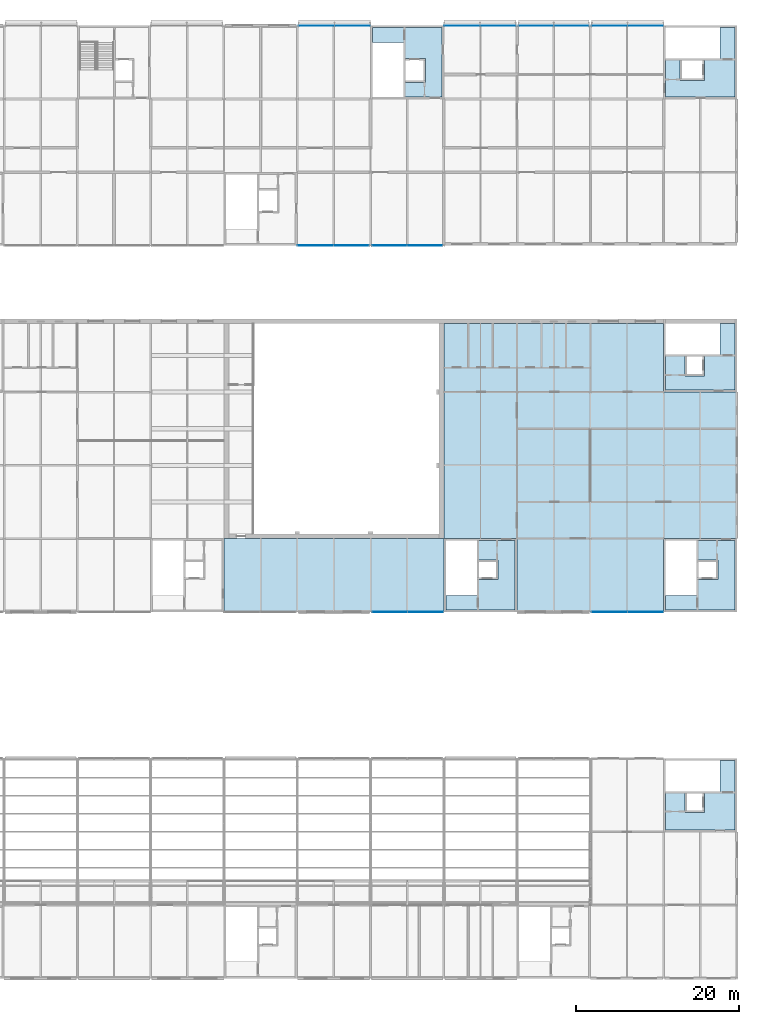
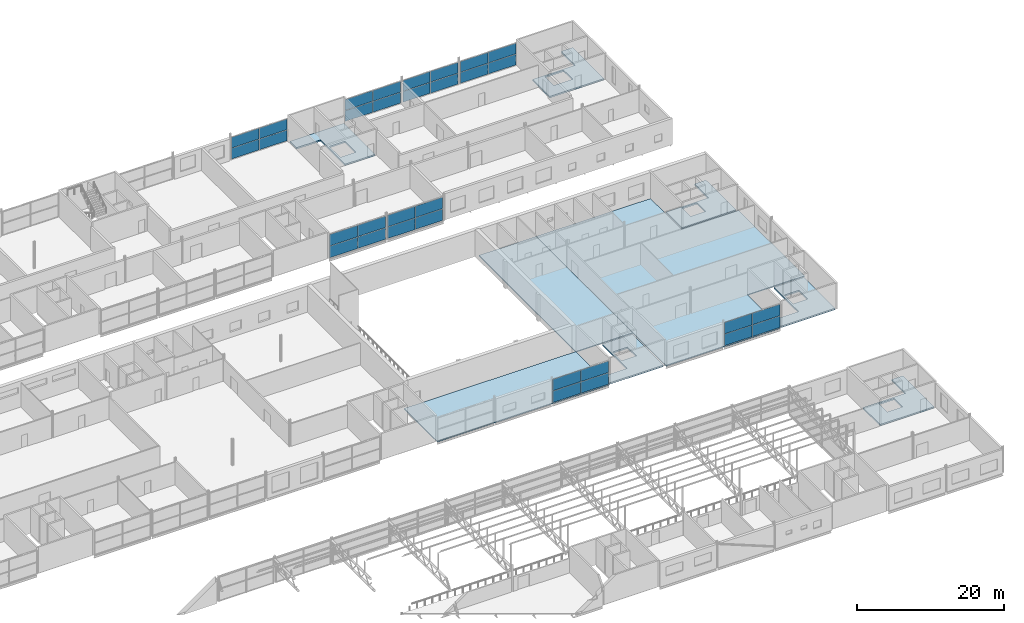
# One storey, part 102 of 138: 32 plates, 9 slabs, 8 elements without a shape of their own.
"""IFC4 building model written with IfcOpenShell, lengths in metres."""

from ifc_helpers import new_model, si_unit, direction, frame, origin, origin_2d, place, context, subcontext, project, spatial, polyline, rectangle, outline, extrude, material, layer, layer_set, type_object, element, aggregate, save


model = new_model("IFC4")

# Units and contexts
model_context = context("Model", 3, precision=1e-05, world=origin(), true_north=direction((0.0, 1.0)))
body_context = subcontext(model_context, "Body", "Model", "MODEL_VIEW")
ifc_project = project(units=[si_unit("LENGTHUNIT", "METRE"), si_unit("AREAUNIT", "SQUARE_METRE"), si_unit("VOLUMEUNIT", "CUBIC_METRE"), si_unit("PLANEANGLEUNIT", "RADIAN"), si_unit("MASSUNIT", "GRAM", prefix="KILO")], contexts=[model_context])

# Site, building, storey
site_placement = place(None, origin())
site = spatial("IfcSite", under=ifc_project, at=site_placement, CompositionType="ELEMENT")
building_placement = place(site_placement, origin())
building = spatial("IfcBuilding", under=site, at=building_placement, Name="Corbel Yard City Hall", CompositionType="ELEMENT")
storey_placement = place(building_placement, frame((0.0, 0.0, 10.5)))
storey = spatial("IfcBuildingStorey", under=building, at=storey_placement, Name="L02", CompositionType="ELEMENT", Elevation=10.5)

# Slabs
ifc_material_1 = material(Name="Concrete N40 (40 MPa)", Category="concrete")
ifc_layer_1 = layer(ifc_material_1, 0.25)
ifc_layer_set_1 = layer_set([ifc_layer_1], Name="Concrete N40 (40 MPa)")
slab_type_1 = type_object("IfcSlabType", Name="CF1", PredefinedType="FLOOR", material=ifc_layer_set_1)
slab_1_placement = place(storey_placement, frame((0.0, 0.0, -0.25)))
element("IfcSlab", 1, at=slab_1_placement, inside=storey, type_object=slab_type_1, Name="Core floor slab", PredefinedType="FLOOR", context=body_context, shape_type="SweptSolid", body=[
    extrude(outline(polyline([(179.75, 26.75), (177.948974609375, 26.75), (177.948974609375, 22.949951171875), (171.25, 22.949951171875), (171.25, 18.25), (179.75, 18.25), (179.75, 26.75)]), holes=[polyline([(176.0, 20.35009765625), (176.0, 22.699951171875), (173.60009765625, 22.699951171875), (173.60009765625, 20.35009765625), (176.0, 20.35009765625)])]), origin(), (0.0, 0.0, 1.0), 0.25),
])
slab_2_placement = place(storey_placement, frame((0.0, 0.0, -0.25)))
element("IfcSlab", 2, at=slab_2_placement, inside=storey, type_object=slab_type_1, Name="Core floor slab", PredefinedType="FLOOR", context=body_context, shape_type="SweptSolid", body=[
    extrude(outline(polyline([(152.75, 53.75), (148.050048828125, 53.75), (148.050048828125, 47.051025390625), (144.25, 47.051025390625), (144.25, 45.25), (152.75, 45.25), (152.75, 53.75)]), holes=[polyline([(150.64990234375, 49.0), (150.64990234375, 51.39990234375), (148.300048828125, 51.39990234375), (148.300048828125, 49.0), (150.64990234375, 49.0)])]), origin(), (0.0, 0.0, 1.0), 0.25),
])
slab_3_placement = place(storey_placement, frame((0.0, 0.0, -0.25)))
element("IfcSlab", 3, at=slab_3_placement, inside=storey, type_object=slab_type_1, Name="Core floor slab", PredefinedType="FLOOR", context=body_context, shape_type="SweptSolid", body=[
    extrude(outline(polyline([(179.75, 53.75), (175.050048828125, 53.75), (175.050048828125, 47.051025390625), (171.25, 47.051025390625), (171.25, 45.25), (179.75, 45.25), (179.75, 53.75)]), holes=[polyline([(177.64990234375, 49.0), (177.64990234375, 51.39990234375), (175.300048828125, 51.39990234375), (175.300048828125, 49.0), (177.64990234375, 49.0)])]), origin(), (0.0, 0.0, 1.0), 0.25),
])
slab_4_placement = place(storey_placement, frame((0.0, 0.0, -0.25)))
element("IfcSlab", 4, at=slab_4_placement, inside=storey, type_object=slab_type_1, Name="Core floor slab", PredefinedType="FLOOR", context=body_context, shape_type="SweptSolid", body=[
    extrude(outline(polyline([(179.75, 80.39990234375), (177.948974609375, 80.39990234375), (177.948974609375, 76.60009765625), (171.25, 76.60009765625), (171.25, 72.25), (179.75, 72.25), (179.75, 80.39990234375)]), holes=[polyline([(176.0, 74.0), (176.0, 76.35009765625), (173.60009765625, 76.35009765625), (173.60009765625, 74.0), (176.0, 74.0)])]), origin(), (0.0, 0.0, 1.0), 0.25),
])
slab_5_placement = place(storey_placement, frame((0.0, 0.0, -0.25)))
element("IfcSlab", 5, at=slab_5_placement, inside=storey, type_object=slab_type_1, Name="Core floor slab", PredefinedType="FLOOR", context=body_context, shape_type="SweptSolid", body=[
    extrude(outline(polyline([(135.25, 116.75), (135.25, 114.948974609375), (139.050048828125, 114.948974609375), (139.050048828125, 108.25), (143.75, 108.25), (143.75, 116.75), (135.25, 116.75)]), holes=[polyline([(141.75, 110.0), (141.75, 113.0), (139.300048828125, 113.0), (139.300048828125, 110.0), (141.75, 110.0)])]), origin(), (0.0, 0.0, 1.0), 0.25),
])
slab_6_placement = place(storey_placement, frame((0.0, 0.0, -0.25)))
element("IfcSlab", 6, at=slab_6_placement, inside=storey, type_object=slab_type_1, Name="Core floor slab", PredefinedType="FLOOR", context=body_context, shape_type="SweptSolid", body=[
    extrude(outline(polyline([(179.75, 116.75), (177.948974609375, 116.75), (177.948974609375, 112.949951171875), (171.25, 112.949951171875), (171.25, 108.25), (179.75, 108.25), (179.75, 116.75)]), holes=[polyline([(176.0, 110.25), (176.0, 112.699951171875), (173.0, 112.699951171875), (173.0, 110.25), (176.0, 110.25)])]), origin(), (0.0, 0.0, 1.0), 0.25),
])
ifc_layer_2 = layer(ifc_material_1, 0.14990234375)
ifc_layer_set_2 = layer_set([ifc_layer_2], Name="Concrete N40 (40 MPa)")
slab_type_2 = type_object("IfcSlabType", Name="Floor slab 150", PredefinedType="FLOOR", material=ifc_layer_set_2)
slab_7_placement = place(storey_placement, frame((0.0, 0.0, -0.14990234375)))
element("IfcSlab", 7, at=slab_7_placement, inside=storey, type_object=slab_type_2, Name="Floor slab Council Chamber block", PredefinedType="FLOOR", context=body_context, shape_type="SweptSolid", body=[
    extrude(outline(polyline([(144.0, 45.0), (144.0, 54.0), (117.0, 54.0), (117.0, 45.0), (144.0, 45.0)])), origin(), (0.0, 0.0, 1.0), 0.14990234375),
])
slab_8_placement = place(storey_placement, frame((0.0, 0.0, -0.14990234375)))
element("IfcSlab", 8, at=slab_8_placement, inside=storey, type_object=slab_type_2, Name="Floor slab Council Chamber block", PredefinedType="FLOOR", context=body_context, shape_type="SweptSolid", body=[
    extrude(outline(polyline([(153.0, 80.39990234375), (144.0, 80.39990234375), (144.0, 54.0), (153.0, 54.0), (153.0, 80.39990234375)])), origin(), (0.0, 0.0, 1.0), 0.14990234375),
])
slab_9_placement = place(storey_placement, frame((0.0, 0.0, -0.14990234375)))
element("IfcSlab", 9, at=slab_9_placement, inside=storey, type_object=slab_type_2, Name="Floor slab Members' wing", PredefinedType="FLOOR", context=body_context, shape_type="SweptSolid", body=[
    extrude(outline(polyline([(180.0, 54.0), (180.0, 72.0), (171.0, 72.0), (171.0, 80.39990234375), (153.0, 80.39990234375), (153.0, 45.0), (171.0, 45.0), (171.0, 54.0), (180.0, 54.0)])), origin(), (0.0, 0.0, 1.0), 0.14990234375),
])

# Curtain wall, plates
ifc_material_2 = material(Name="Aluminium extrusion", Category="aluminium")
ifc_layer_3 = layer(ifc_material_2, 0.199951171875)
ifc_layer_set_3 = layer_set([ifc_layer_3], Name="Aluminium extrusion")
curtain_wall_type_1 = type_object("IfcCurtainWallType", Name="CW1", PredefinedType="USERDEFINED", material=ifc_layer_set_3)
curtain_wall_1_placement = place(storey_placement, origin())
curtain_wall_1 = element("IfcCurtainWall", 10, at=curtain_wall_1_placement, inside=storey, type_object=curtain_wall_type_1, Name="Curtain wall CW1 L02", ObjectType="CURTAIN WALL", PredefinedType="USERDEFINED")
ifc_material_3 = material(Name="Laminated glass", Category="glass")
ifc_layer_4 = layer(ifc_material_3, 0.035888671875)
ifc_layer_set_4 = layer_set([ifc_layer_4], Name="Laminated glass")
plate_type_1 = type_object("IfcPlateType", Name="PN1", PredefinedType="CURTAIN_PANEL", material=ifc_layer_set_4)
plate_1_placement = place(storey_placement, frame((164.361572265625, 45.0, 0.06494140625), z_axis=(0.0, 0.0, 1.0), x_axis=(1.0, 0.0, 0.0)))
plate_1 = element("IfcPlate", 11, at=plate_1_placement, type_object=plate_type_1, Name="CW1 panel 1.1", PredefinedType="CURTAIN_PANEL", context=body_context, shape_type="SweptSolid", body=[
    extrude(rectangle(XDim=4.339111328125, YDim=0.035888671875, at=origin_2d()), origin(), (0.0, 0.0, 1.0), 1.89794921875),
])
plate_2_placement = place(storey_placement, frame((164.361572265625, 45.0, 2.028076171875), z_axis=(0.0, 0.0, 1.0), x_axis=(1.0, 0.0, 0.0)))
plate_2 = element("IfcPlate", 12, at=plate_2_placement, type_object=plate_type_1, Name="CW1 panel 1.2", PredefinedType="CURTAIN_PANEL", context=body_context, shape_type="SweptSolid", body=[
    extrude(rectangle(XDim=4.339111328125, YDim=0.035888671875, at=origin_2d()), origin(), (0.0, 0.0, 1.0), 1.89794921875),
])
plate_3_placement = place(storey_placement, frame((168.765380859375, 45.0, 0.06494140625), z_axis=(0.0, 0.0, 1.0), x_axis=(1.0, 0.0, 0.0)))
plate_3 = element("IfcPlate", 13, at=plate_3_placement, type_object=plate_type_1, Name="CW1 panel 2.1", PredefinedType="CURTAIN_PANEL", context=body_context, shape_type="SweptSolid", body=[
    extrude(rectangle(XDim=4.339111328125, YDim=0.035888671875, at=origin_2d()), origin(), (0.0, 0.0, 1.0), 1.89794921875),
])
plate_4_placement = place(storey_placement, frame((168.765380859375, 45.0, 2.028076171875), z_axis=(0.0, 0.0, 1.0), x_axis=(1.0, 0.0, 0.0)))
plate_4 = element("IfcPlate", 14, at=plate_4_placement, type_object=plate_type_1, Name="CW1 panel 2.2", PredefinedType="CURTAIN_PANEL", context=body_context, shape_type="SweptSolid", body=[
    extrude(rectangle(XDim=4.339111328125, YDim=0.035888671875, at=origin_2d()), origin(), (0.0, 0.0, 1.0), 1.89794921875),
])
aggregate(curtain_wall_1, [plate_1, plate_2, plate_3, plate_4])

curtain_wall_2_placement = place(storey_placement, origin())
curtain_wall_2 = element("IfcCurtainWall", 15, at=curtain_wall_2_placement, inside=storey, type_object=curtain_wall_type_1, Name="Curtain wall CW1 L02", ObjectType="CURTAIN WALL", PredefinedType="USERDEFINED")
plate_5_placement = place(storey_placement, frame((128.234619140625, 90.0, 0.06494140625), z_axis=(0.0, 0.0, 1.0), x_axis=(1.0, 0.0, 0.0)))
plate_5 = element("IfcPlate", 16, at=plate_5_placement, type_object=plate_type_1, Name="CW1 panel 1.1", PredefinedType="CURTAIN_PANEL", context=body_context, shape_type="SweptSolid", body=[
    extrude(rectangle(XDim=4.339111328125, YDim=0.035888671875, at=origin_2d()), origin(), (0.0, 0.0, 1.0), 1.89794921875),
])
plate_6_placement = place(storey_placement, frame((128.234619140625, 90.0, 2.028076171875), z_axis=(0.0, 0.0, 1.0), x_axis=(1.0, 0.0, 0.0)))
plate_6 = element("IfcPlate", 17, at=plate_6_placement, type_object=plate_type_1, Name="CW1 panel 1.2", PredefinedType="CURTAIN_PANEL", context=body_context, shape_type="SweptSolid", body=[
    extrude(rectangle(XDim=4.339111328125, YDim=0.035888671875, at=origin_2d()), origin(), (0.0, 0.0, 1.0), 1.89794921875),
])
plate_7_placement = place(storey_placement, frame((132.638427734375, 90.0, 0.06494140625), z_axis=(0.0, 0.0, 1.0), x_axis=(1.0, 0.0, 0.0)))
plate_7 = element("IfcPlate", 18, at=plate_7_placement, type_object=plate_type_1, Name="CW1 panel 2.1", PredefinedType="CURTAIN_PANEL", context=body_context, shape_type="SweptSolid", body=[
    extrude(rectangle(XDim=4.339111328125, YDim=0.035888671875, at=origin_2d()), origin(), (0.0, 0.0, 1.0), 1.89794921875),
])
plate_8_placement = place(storey_placement, frame((132.638427734375, 90.0, 2.028076171875), z_axis=(0.0, 0.0, 1.0), x_axis=(1.0, 0.0, 0.0)))
plate_8 = element("IfcPlate", 19, at=plate_8_placement, type_object=plate_type_1, Name="CW1 panel 2.2", PredefinedType="CURTAIN_PANEL", context=body_context, shape_type="SweptSolid", body=[
    extrude(rectangle(XDim=4.339111328125, YDim=0.035888671875, at=origin_2d()), origin(), (0.0, 0.0, 1.0), 1.89794921875),
])
aggregate(curtain_wall_2, [plate_5, plate_6, plate_7, plate_8])

curtain_wall_3_placement = place(storey_placement, origin())
curtain_wall_3 = element("IfcCurtainWall", 20, at=curtain_wall_3_placement, inside=storey, type_object=curtain_wall_type_1, Name="Curtain wall CW1 L02", ObjectType="CURTAIN WALL", PredefinedType="USERDEFINED")
plate_9_placement = place(storey_placement, frame((137.329833984375, 90.0, 0.06494140625), z_axis=(0.0, 0.0, 1.0), x_axis=(1.0, 0.0, 0.0)))
plate_9 = element("IfcPlate", 21, at=plate_9_placement, type_object=plate_type_1, Name="CW1 panel 1.1", PredefinedType="CURTAIN_PANEL", context=body_context, shape_type="SweptSolid", body=[
    extrude(rectangle(XDim=4.275390625, YDim=0.035888671875, at=origin_2d()), origin(), (0.0, 0.0, 1.0), 1.89794921875),
])
plate_10_placement = place(storey_placement, frame((137.329833984375, 90.0, 2.028076171875), z_axis=(0.0, 0.0, 1.0), x_axis=(1.0, 0.0, 0.0)))
plate_10 = element("IfcPlate", 22, at=plate_10_placement, type_object=plate_type_1, Name="CW1 panel 1.2", PredefinedType="CURTAIN_PANEL", context=body_context, shape_type="SweptSolid", body=[
    extrude(rectangle(XDim=4.275390625, YDim=0.035888671875, at=origin_2d()), origin(), (0.0, 0.0, 1.0), 1.89794921875),
])
plate_11_placement = place(storey_placement, frame((141.670166015625, 90.0, 0.06494140625), z_axis=(0.0, 0.0, 1.0), x_axis=(1.0, 0.0, 0.0)))
plate_11 = element("IfcPlate", 23, at=plate_11_placement, type_object=plate_type_1, Name="CW1 panel 2.1", PredefinedType="CURTAIN_PANEL", context=body_context, shape_type="SweptSolid", body=[
    extrude(rectangle(XDim=4.275390625, YDim=0.035888671875, at=origin_2d()), origin(), (0.0, 0.0, 1.0), 1.89794921875),
])
plate_12_placement = place(storey_placement, frame((141.670166015625, 90.0, 2.028076171875), z_axis=(0.0, 0.0, 1.0), x_axis=(1.0, 0.0, 0.0)))
plate_12 = element("IfcPlate", 24, at=plate_12_placement, type_object=plate_type_1, Name="CW1 panel 2.2", PredefinedType="CURTAIN_PANEL", context=body_context, shape_type="SweptSolid", body=[
    extrude(rectangle(XDim=4.275390625, YDim=0.035888671875, at=origin_2d()), origin(), (0.0, 0.0, 1.0), 1.89794921875),
])
aggregate(curtain_wall_3, [plate_9, plate_10, plate_11, plate_12])

curtain_wall_4_placement = place(storey_placement, origin())
curtain_wall_4 = element("IfcCurtainWall", 25, at=curtain_wall_4_placement, inside=storey, type_object=curtain_wall_type_1, Name="Curtain wall CW1 L02", ObjectType="CURTAIN WALL", PredefinedType="USERDEFINED")
plate_13_placement = place(storey_placement, frame((128.361572265625, 117.0, 0.06494140625), z_axis=(0.0, 0.0, 1.0), x_axis=(1.0, 0.0, 0.0)))
plate_13 = element("IfcPlate", 26, at=plate_13_placement, type_object=plate_type_1, Name="CW1 panel 1.1", PredefinedType="CURTAIN_PANEL", context=body_context, shape_type="SweptSolid", body=[
    extrude(rectangle(XDim=4.339111328125, YDim=0.035888671875, at=origin_2d()), origin(), (0.0, 0.0, 1.0), 1.771484375),
])
plate_14_placement = place(storey_placement, frame((128.361572265625, 117.0, 1.901611328125), z_axis=(0.0, 0.0, 1.0), x_axis=(1.0, 0.0, 0.0)))
plate_14 = element("IfcPlate", 27, at=plate_14_placement, type_object=plate_type_1, Name="CW1 panel 1.2", PredefinedType="CURTAIN_PANEL", context=body_context, shape_type="SweptSolid", body=[
    extrude(rectangle(XDim=4.339111328125, YDim=0.035888671875, at=origin_2d()), origin(), (0.0, 0.0, 1.0), 1.771484375),
])
plate_15_placement = place(storey_placement, frame((132.765380859375, 117.0, 0.06494140625), z_axis=(0.0, 0.0, 1.0), x_axis=(1.0, 0.0, 0.0)))
plate_15 = element("IfcPlate", 28, at=plate_15_placement, type_object=plate_type_1, Name="CW1 panel 2.1", PredefinedType="CURTAIN_PANEL", context=body_context, shape_type="SweptSolid", body=[
    extrude(rectangle(XDim=4.339111328125, YDim=0.035888671875, at=origin_2d()), origin(), (0.0, 0.0, 1.0), 1.771484375),
])
plate_16_placement = place(storey_placement, frame((132.765380859375, 117.0, 1.901611328125), z_axis=(0.0, 0.0, 1.0), x_axis=(1.0, 0.0, 0.0)))
plate_16 = element("IfcPlate", 29, at=plate_16_placement, type_object=plate_type_1, Name="CW1 panel 2.2", PredefinedType="CURTAIN_PANEL", context=body_context, shape_type="SweptSolid", body=[
    extrude(rectangle(XDim=4.339111328125, YDim=0.035888671875, at=origin_2d()), origin(), (0.0, 0.0, 1.0), 1.771484375),
])
aggregate(curtain_wall_4, [plate_13, plate_14, plate_15, plate_16])

curtain_wall_5_placement = place(storey_placement, origin())
curtain_wall_5 = element("IfcCurtainWall", 30, at=curtain_wall_5_placement, inside=storey, type_object=curtain_wall_type_1, Name="Curtain wall CW1 L02", ObjectType="CURTAIN WALL", PredefinedType="USERDEFINED")
plate_17_placement = place(storey_placement, frame((146.234619140625, 117.0, 0.06494140625), z_axis=(0.0, 0.0, 1.0), x_axis=(1.0, 0.0, 0.0)))
plate_17 = element("IfcPlate", 31, at=plate_17_placement, type_object=plate_type_1, Name="CW1 panel 1.1", PredefinedType="CURTAIN_PANEL", context=body_context, shape_type="SweptSolid", body=[
    extrude(rectangle(XDim=4.339111328125, YDim=0.035888671875, at=origin_2d()), origin(), (0.0, 0.0, 1.0), 1.771484375),
])
plate_18_placement = place(storey_placement, frame((146.234619140625, 117.0, 1.901611328125), z_axis=(0.0, 0.0, 1.0), x_axis=(1.0, 0.0, 0.0)))
plate_18 = element("IfcPlate", 32, at=plate_18_placement, type_object=plate_type_1, Name="CW1 panel 1.2", PredefinedType="CURTAIN_PANEL", context=body_context, shape_type="SweptSolid", body=[
    extrude(rectangle(XDim=4.339111328125, YDim=0.035888671875, at=origin_2d()), origin(), (0.0, 0.0, 1.0), 1.771484375),
])
plate_19_placement = place(storey_placement, frame((150.638427734375, 117.0, 0.06494140625), z_axis=(0.0, 0.0, 1.0), x_axis=(1.0, 0.0, 0.0)))
plate_19 = element("IfcPlate", 33, at=plate_19_placement, type_object=plate_type_1, Name="CW1 panel 2.1", PredefinedType="CURTAIN_PANEL", context=body_context, shape_type="SweptSolid", body=[
    extrude(rectangle(XDim=4.339111328125, YDim=0.035888671875, at=origin_2d()), origin(), (0.0, 0.0, 1.0), 1.771484375),
])
plate_20_placement = place(storey_placement, frame((150.638427734375, 117.0, 1.901611328125), z_axis=(0.0, 0.0, 1.0), x_axis=(1.0, 0.0, 0.0)))
plate_20 = element("IfcPlate", 34, at=plate_20_placement, type_object=plate_type_1, Name="CW1 panel 2.2", PredefinedType="CURTAIN_PANEL", context=body_context, shape_type="SweptSolid", body=[
    extrude(rectangle(XDim=4.339111328125, YDim=0.035888671875, at=origin_2d()), origin(), (0.0, 0.0, 1.0), 1.771484375),
])
aggregate(curtain_wall_5, [plate_17, plate_18, plate_19, plate_20])

curtain_wall_6_placement = place(storey_placement, origin())
curtain_wall_6 = element("IfcCurtainWall", 35, at=curtain_wall_6_placement, inside=storey, type_object=curtain_wall_type_1, Name="Curtain wall CW1 L02", ObjectType="CURTAIN WALL", PredefinedType="USERDEFINED")
plate_21_placement = place(storey_placement, frame((155.329833984375, 117.0, 0.06494140625), z_axis=(0.0, 0.0, 1.0), x_axis=(1.0, 0.0, 0.0)))
plate_21 = element("IfcPlate", 36, at=plate_21_placement, type_object=plate_type_1, Name="CW1 panel 1.1", PredefinedType="CURTAIN_PANEL", context=body_context, shape_type="SweptSolid", body=[
    extrude(rectangle(XDim=4.275390625, YDim=0.035888671875, at=origin_2d()), origin(), (0.0, 0.0, 1.0), 1.771484375),
])
plate_22_placement = place(storey_placement, frame((155.329833984375, 117.0, 1.901611328125), z_axis=(0.0, 0.0, 1.0), x_axis=(1.0, 0.0, 0.0)))
plate_22 = element("IfcPlate", 37, at=plate_22_placement, type_object=plate_type_1, Name="CW1 panel 1.2", PredefinedType="CURTAIN_PANEL", context=body_context, shape_type="SweptSolid", body=[
    extrude(rectangle(XDim=4.275390625, YDim=0.035888671875, at=origin_2d()), origin(), (0.0, 0.0, 1.0), 1.771484375),
])
plate_23_placement = place(storey_placement, frame((159.670166015625, 117.0, 0.06494140625), z_axis=(0.0, 0.0, 1.0), x_axis=(1.0, 0.0, 0.0)))
plate_23 = element("IfcPlate", 38, at=plate_23_placement, type_object=plate_type_1, Name="CW1 panel 2.1", PredefinedType="CURTAIN_PANEL", context=body_context, shape_type="SweptSolid", body=[
    extrude(rectangle(XDim=4.275390625, YDim=0.035888671875, at=origin_2d()), origin(), (0.0, 0.0, 1.0), 1.771484375),
])
plate_24_placement = place(storey_placement, frame((159.670166015625, 117.0, 1.901611328125), z_axis=(0.0, 0.0, 1.0), x_axis=(1.0, 0.0, 0.0)))
plate_24 = element("IfcPlate", 39, at=plate_24_placement, type_object=plate_type_1, Name="CW1 panel 2.2", PredefinedType="CURTAIN_PANEL", context=body_context, shape_type="SweptSolid", body=[
    extrude(rectangle(XDim=4.275390625, YDim=0.035888671875, at=origin_2d()), origin(), (0.0, 0.0, 1.0), 1.771484375),
])
aggregate(curtain_wall_6, [plate_21, plate_22, plate_23, plate_24])

curtain_wall_7_placement = place(storey_placement, origin())
curtain_wall_7 = element("IfcCurtainWall", 40, at=curtain_wall_7_placement, inside=storey, type_object=curtain_wall_type_1, Name="Curtain wall CW1 L02", ObjectType="CURTAIN WALL", PredefinedType="USERDEFINED")
plate_25_placement = place(storey_placement, frame((164.361572265625, 117.0, 0.06494140625), z_axis=(0.0, 0.0, 1.0), x_axis=(1.0, 0.0, 0.0)))
plate_25 = element("IfcPlate", 41, at=plate_25_placement, type_object=plate_type_1, Name="CW1 panel 1.1", PredefinedType="CURTAIN_PANEL", context=body_context, shape_type="SweptSolid", body=[
    extrude(rectangle(XDim=4.339111328125, YDim=0.035888671875, at=origin_2d()), origin(), (0.0, 0.0, 1.0), 1.771484375),
])
plate_26_placement = place(storey_placement, frame((164.361572265625, 117.0, 1.901611328125), z_axis=(0.0, 0.0, 1.0), x_axis=(1.0, 0.0, 0.0)))
plate_26 = element("IfcPlate", 42, at=plate_26_placement, type_object=plate_type_1, Name="CW1 panel 1.2", PredefinedType="CURTAIN_PANEL", context=body_context, shape_type="SweptSolid", body=[
    extrude(rectangle(XDim=4.339111328125, YDim=0.035888671875, at=origin_2d()), origin(), (0.0, 0.0, 1.0), 1.771484375),
])
plate_27_placement = place(storey_placement, frame((168.765380859375, 117.0, 0.06494140625), z_axis=(0.0, 0.0, 1.0), x_axis=(1.0, 0.0, 0.0)))
plate_27 = element("IfcPlate", 43, at=plate_27_placement, type_object=plate_type_1, Name="CW1 panel 2.1", PredefinedType="CURTAIN_PANEL", context=body_context, shape_type="SweptSolid", body=[
    extrude(rectangle(XDim=4.339111328125, YDim=0.035888671875, at=origin_2d()), origin(), (0.0, 0.0, 1.0), 1.771484375),
])
plate_28_placement = place(storey_placement, frame((168.765380859375, 117.0, 1.901611328125), z_axis=(0.0, 0.0, 1.0), x_axis=(1.0, 0.0, 0.0)))
plate_28 = element("IfcPlate", 44, at=plate_28_placement, type_object=plate_type_1, Name="CW1 panel 2.2", PredefinedType="CURTAIN_PANEL", context=body_context, shape_type="SweptSolid", body=[
    extrude(rectangle(XDim=4.339111328125, YDim=0.035888671875, at=origin_2d()), origin(), (0.0, 0.0, 1.0), 1.771484375),
])
aggregate(curtain_wall_7, [plate_25, plate_26, plate_27, plate_28])

ifc_layer_5 = layer(ifc_material_2, 0.219970703125)
ifc_layer_set_5 = layer_set([ifc_layer_5], Name="Aluminium extrusion")
curtain_wall_type_2 = type_object("IfcCurtainWallType", Name="CW5", PredefinedType="USERDEFINED", material=ifc_layer_set_5)
curtain_wall_8_placement = place(storey_placement, origin())
curtain_wall_8 = element("IfcCurtainWall", 45, at=curtain_wall_8_placement, inside=storey, type_object=curtain_wall_type_2, Name="Curtain wall CW5 L02", ObjectType="CURTAIN WALL", PredefinedType="USERDEFINED")
ifc_material_4 = material(Name="Acoustic laminated glass", Category="glass")
ifc_layer_6 = layer(ifc_material_4, 0.031982421875)
ifc_layer_set_6 = layer_set([ifc_layer_6], Name="Acoustic laminated glass")
plate_type_2 = type_object("IfcPlateType", Name="PN6", PredefinedType="CURTAIN_PANEL", material=ifc_layer_set_6)
plate_29_placement = place(storey_placement, frame((137.361572265625, 45.0, 0.06494140625), z_axis=(0.0, 0.0, 1.0), x_axis=(1.0, 0.0, 0.0)))
plate_29 = element("IfcPlate", 46, at=plate_29_placement, type_object=plate_type_2, Name="CW5 panel 1.1", PredefinedType="CURTAIN_PANEL", context=body_context, shape_type="SweptSolid", body=[
    extrude(rectangle(XDim=4.339111328125, YDim=0.031982421875, at=origin_2d()), origin(), (0.0, 0.0, 1.0), 1.89794921875),
])
plate_30_placement = place(storey_placement, frame((137.361572265625, 45.0, 2.028076171875), z_axis=(0.0, 0.0, 1.0), x_axis=(1.0, 0.0, 0.0)))
plate_30 = element("IfcPlate", 47, at=plate_30_placement, type_object=plate_type_2, Name="CW5 panel 1.2", PredefinedType="CURTAIN_PANEL", context=body_context, shape_type="SweptSolid", body=[
    extrude(rectangle(XDim=4.339111328125, YDim=0.031982421875, at=origin_2d()), origin(), (0.0, 0.0, 1.0), 1.89794921875),
])
plate_31_placement = place(storey_placement, frame((141.765380859375, 45.0, 0.06494140625), z_axis=(0.0, 0.0, 1.0), x_axis=(1.0, 0.0, 0.0)))
plate_31 = element("IfcPlate", 48, at=plate_31_placement, type_object=plate_type_2, Name="CW5 panel 2.1", PredefinedType="CURTAIN_PANEL", context=body_context, shape_type="SweptSolid", body=[
    extrude(rectangle(XDim=4.339111328125, YDim=0.031982421875, at=origin_2d()), origin(), (0.0, 0.0, 1.0), 1.89794921875),
])
plate_32_placement = place(storey_placement, frame((141.765380859375, 45.0, 2.028076171875), z_axis=(0.0, 0.0, 1.0), x_axis=(1.0, 0.0, 0.0)))
plate_32 = element("IfcPlate", 49, at=plate_32_placement, type_object=plate_type_2, Name="CW5 panel 2.2", PredefinedType="CURTAIN_PANEL", context=body_context, shape_type="SweptSolid", body=[
    extrude(rectangle(XDim=4.339111328125, YDim=0.031982421875, at=origin_2d()), origin(), (0.0, 0.0, 1.0), 1.89794921875),
])
aggregate(curtain_wall_8, [plate_29, plate_30, plate_31, plate_32])

save(model, "model.ifc")
